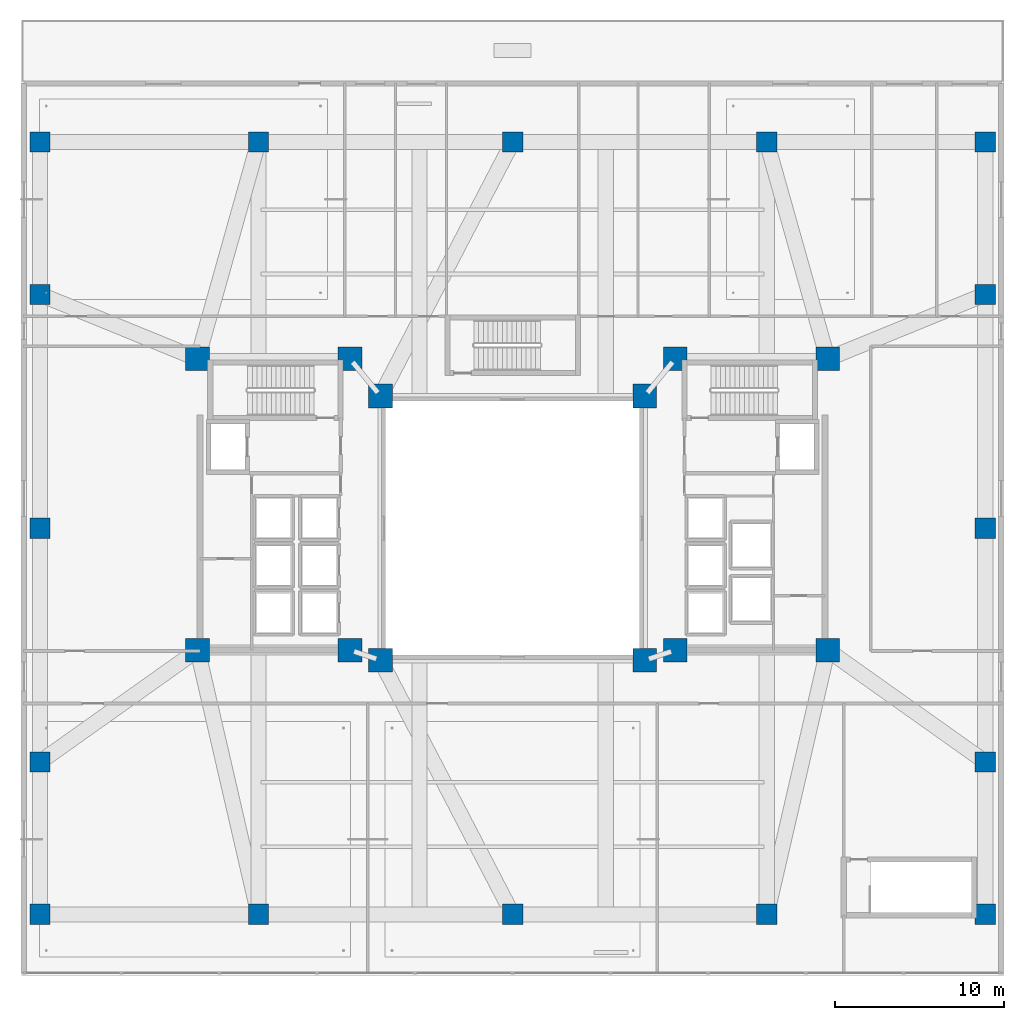
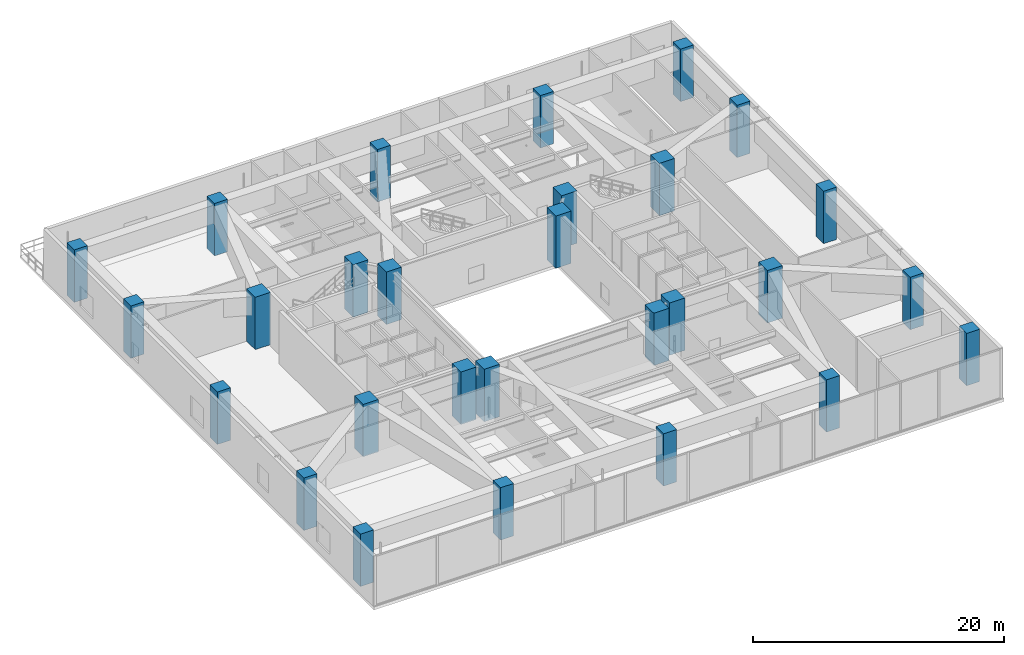
# One storey, part 1 of 21: 28 columns.
"""IFC4 building model written with IfcOpenShell, lengths in metres."""

from ifc_helpers import new_model, si_unit, direction, frame, origin, origin_2d, place, context, subcontext, project, spatial, rectangle, extrude, material, material_profile, profile_set, type_object, element, save


model = new_model("IFC4")

# Units and contexts
model_context = context("Model", 3, precision=1e-05, world=origin(), true_north=direction((0.0, 1.0)))
body_context = subcontext(model_context, "Body", "Model", "MODEL_VIEW")
ifc_project = project(units=[si_unit("LENGTHUNIT", "METRE"), si_unit("AREAUNIT", "SQUARE_METRE"), si_unit("VOLUMEUNIT", "CUBIC_METRE"), si_unit("PLANEANGLEUNIT", "RADIAN"), si_unit("MASSUNIT", "GRAM", prefix="KILO")], contexts=[model_context])

# Site, building, storey
site_placement = place(None, origin())
site = spatial("IfcSite", under=ifc_project, at=site_placement, CompositionType="ELEMENT")
building_placement = place(site_placement, origin())
building = spatial("IfcBuilding", under=site, at=building_placement, Name="Tarnavaz Court Tower", CompositionType="ELEMENT")
storey_placement = place(building_placement, frame((0.0, 0.0, 18.89990234375)))
storey = spatial("IfcBuildingStorey", under=building, at=storey_placement, Name="L04", CompositionType="ELEMENT", Elevation=18.89990234375)

# Columns
ifc_material = material(Name="Concrete C60/75", Category="concrete")
ifc_material_profile_1 = material_profile(ifc_material, rectangle(XDim=1.199951171875, YDim=1.199951171875, at=origin_2d()), Name="RC 1200X1200")
ifc_profile_set_1 = profile_set([ifc_material_profile_1], Name="Concrete C60/75")
column_type_1 = type_object("IfcColumnType", Name="CL-RC1200", PredefinedType="COLUMN", material=ifc_profile_set_1)
for number, where, z_axis, x_axis, name in (
    (1, (-27.89990234375, 22.800048828125, 0.0), (0.0, 0.0, 1.0), (1.0, 0.0, 0.0), "L04 Column PM-NW"),
    (2, (-15.0, 22.800048828125, 0.0), (0.0, 0.0, 1.0), (1.0, 0.0, 0.0), "L04 Column PM-N1"),
    (3, (0.0, 22.800048828125, 0.0), (0.0, 0.0, 1.0), (1.0, 0.0, 0.0), "L04 Column PM-N2"),
    (4, (15.0, 22.800048828125, 0.0), (0.0, 0.0, 1.0), (1.0, 0.0, 0.0), "L04 Column PM-N3"),
    (5, (27.89990234375, 22.800048828125, 0.0), (0.0, 0.0, 1.0), (1.0, 0.0, 0.0), "L04 Column PM-NE"),
    (6, (-27.89990234375, -22.800048828125, 0.0), (0.0, 0.0, 1.0), (1.0, 0.0, 0.0), "L04 Column PM-SW"),
    (7, (-15.0, -22.800048828125, 0.0), (0.0, 0.0, 1.0), (1.0, 0.0, 0.0), "L04 Column PM-S1"),
    (8, (0.0, -22.800048828125, 0.0), (0.0, 0.0, 1.0), (1.0, 0.0, 0.0), "L04 Column PM-S2"),
    (9, (15.0, -22.800048828125, 0.0), (0.0, 0.0, 1.0), (1.0, 0.0, 0.0), "L04 Column PM-S3"),
    (10, (27.89990234375, -22.800048828125, 0.0), (0.0, 0.0, 1.0), (1.0, 0.0, 0.0), "L04 Column PM-SE"),
    (11, (-27.89990234375, -13.800048828125, 0.0), (0.0, 0.0, 1.0), (1.0, 0.0, 0.0), "L04 Column PM-W1"),
    (12, (-27.89990234375, 0.0, 0.0), (0.0, 0.0, 1.0), (1.0, 0.0, 0.0), "L04 Column PM-W2"),
    (13, (-27.89990234375, 13.800048828125, 0.0), (0.0, 0.0, 1.0), (1.0, 0.0, 0.0), "L04 Column PM-W3"),
    (14, (27.89990234375, -13.800048828125, 0.0), (0.0, 0.0, 1.0), (1.0, 0.0, 0.0), "L04 Column PM-E1"),
    (15, (27.89990234375, 0.0, 0.0), (0.0, 0.0, 1.0), (1.0, 0.0, 0.0), "L04 Column PM-E2"),
    (16, (27.89990234375, 13.800048828125, 0.0), (0.0, 0.0, 1.0), (1.0, 0.0, 0.0), "L04 Column PM-E3"),
):
    element("IfcColumn", number, at=place(storey_placement, frame(where, z_axis=z_axis, x_axis=x_axis)), inside=storey, type_object=column_type_1, Name=name, PredefinedType="COLUMN", context=body_context, shape_type="SweptSolid", body=[
        extrude(rectangle(XDim=1.199951171875, YDim=1.199951171875, at=origin_2d()), origin(), (0.0, 0.0, 1.0), 5.10009765625),
    ])
ifc_material_profile_2 = material_profile(ifc_material, rectangle(XDim=1.39990234375, YDim=1.39990234375, at=origin_2d()), Name="RC 1400X1400")
ifc_profile_set_2 = profile_set([ifc_material_profile_2], Name="Concrete C60/75")
column_type_2 = type_object("IfcColumnType", Name="CL-RC1400", PredefinedType="COLUMN", material=ifc_profile_set_2)
for number, where, z_axis, x_axis, name in (
    (17, (-7.800048828125, -7.800048828125, 0.0), (0.0, 0.0, 1.0), (1.0, 0.0, 0.0), "L04 Column IW-SW"),
    (18, (7.800048828125, -7.800048828125, 0.0), (0.0, 0.0, 1.0), (1.0, 0.0, 0.0), "L04 Column IW-SE"),
    (19, (-7.800048828125, 7.800048828125, 0.0), (0.0, 0.0, 1.0), (1.0, 0.0, 0.0), "L04 Column IW-NW"),
    (20, (7.800048828125, 7.800048828125, 0.0), (0.0, 0.0, 1.0), (1.0, 0.0, 0.0), "L04 Column IW-NE"),
    (21, (-9.60009765625, -7.199951171875, 0.0), (0.0, 0.0, 1.0), (1.0, 0.0, 0.0), "L04 Column CW-SI"),
    (22, (-9.60009765625, 10.0, 0.0), (0.0, 0.0, 1.0), (1.0, 0.0, 0.0), "L04 Column CW-NI"),
    (23, (9.60009765625, -7.199951171875, 0.0), (0.0, 0.0, 1.0), (1.0, 0.0, 0.0), "L04 Column CE-SI"),
    (24, (9.60009765625, 10.0, 0.0), (0.0, 0.0, 1.0), (1.0, 0.0, 0.0), "L04 Column CE-NI"),
    (25, (-18.60009765625, -7.199951171875, 0.0), (0.0, 0.0, 1.0), (1.0, 0.0, 0.0), "L04 Column CW-SO"),
    (26, (-18.60009765625, 10.0, 0.0), (0.0, 0.0, 1.0), (1.0, 0.0, 0.0), "L04 Column CW-NO"),
    (27, (18.60009765625, -7.199951171875, 0.0), (0.0, 0.0, 1.0), (1.0, 0.0, 0.0), "L04 Column CE-SO"),
    (28, (18.60009765625, 10.0, 0.0), (0.0, 0.0, 1.0), (1.0, 0.0, 0.0), "L04 Column CE-NO"),
):
    element("IfcColumn", number, at=place(storey_placement, frame(where, z_axis=z_axis, x_axis=x_axis)), inside=storey, type_object=column_type_2, Name=name, PredefinedType="COLUMN", context=body_context, shape_type="SweptSolid", body=[
        extrude(rectangle(XDim=1.39990234375, YDim=1.39990234375, at=origin_2d()), origin(), (0.0, 0.0, 1.0), 5.10009765625),
    ])

save(model, "model.ifc")
